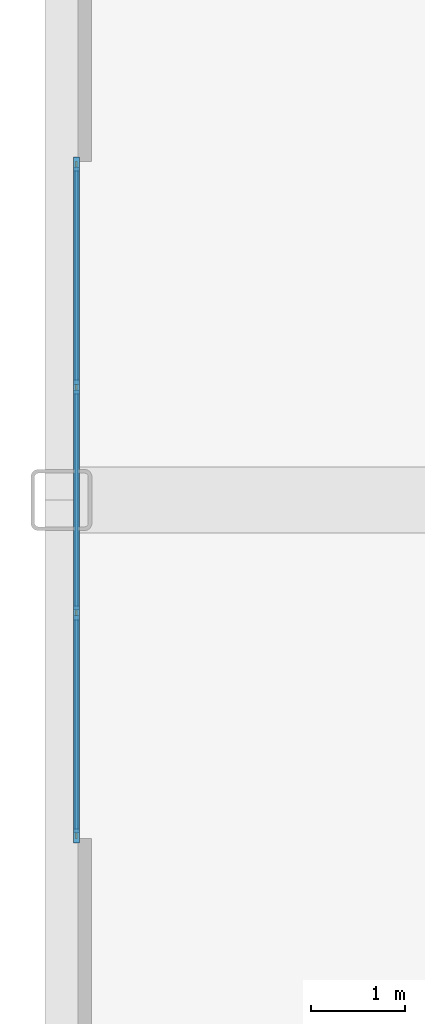
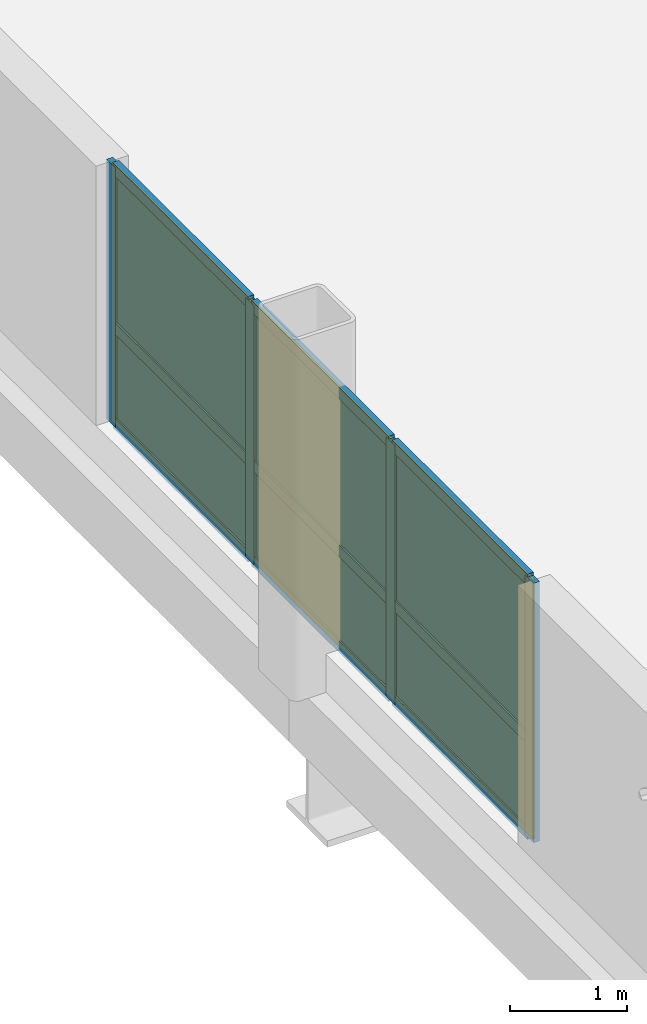
# One storey, part 11 of 16: 13 members, 6 plates, 1 curtain wall.
"""IFC4 building model written with IfcOpenShell, lengths in metres."""

from ifc_helpers import new_model, si_unit, direction, frame, frame_2d, origin, origin_2d, place, context, subcontext, project, spatial, rectangle, extrude, source, transform, mapped, material, layer, layer_set, material_profile, profile_set, type_object, type_shapes, element, aggregate, save


model = new_model("IFC4")

# Units and contexts
model_context = context("Model", 3, precision=1e-05, world=origin(), true_north=direction((0.0, 1.0)))
body_context = subcontext(model_context, "Body", "Model", "MODEL_VIEW")
ifc_project = project(units=[si_unit("LENGTHUNIT", "METRE"), si_unit("AREAUNIT", "SQUARE_METRE"), si_unit("VOLUMEUNIT", "CUBIC_METRE"), si_unit("PLANEANGLEUNIT", "RADIAN"), si_unit("MASSUNIT", "GRAM", prefix="KILO")], contexts=[model_context])

# Member
ifc_material_1 = material(Name="Anodised aluminium 6063-T6", Category="aluminium")
ifc_material_profile_1 = material_profile(ifc_material_1, rectangle(XDim=0.06005859375, YDim=0.14990234375, at=origin_2d()), Name="ALU-MULL-60x150")
ifc_profile_set_1 = profile_set([ifc_material_profile_1], Name="Anodised aluminium 6063-T6")
member_type_1 = type_object("IfcMemberType", Name="CWM-3", PredefinedType="MULLION", material=ifc_profile_set_1)
site_placement = place(None, origin())
building_placement = place(site_placement, origin())
storey_placement = place(building_placement, frame((0.0, 0.0, 116.550048828125)))
member_1_placement = place(storey_placement, frame((-26.239990234375, -3.570068359375, 0.0), z_axis=(0.0, 0.0, 1.0), x_axis=(-1.0, 0.0, 0.0)))
member_1 = element("IfcMember", 1, at=member_1_placement, type_object=member_type_1, Name="CWS-3 mullion 1", PredefinedType="MULLION", context=body_context, shape_type="SweptSolid", body=[
    extrude(rectangle(XDim=0.06005859375, YDim=0.14990234375, at=origin_2d()), origin(), (0.0, 0.0, 1.0), 2.704833984375),
])

member_2_placement = place(storey_placement, frame((-26.239990234375, -1.199951171875, 0.0), z_axis=(0.0, 0.0, 1.0), x_axis=(-1.0, 0.0, 0.0)))
member_2 = element("IfcMember", 2, at=member_2_placement, type_object=member_type_1, Name="CWS-3 mullion 2", PredefinedType="MULLION", context=body_context, shape_type="SweptSolid", body=[
    extrude(rectangle(XDim=0.06005859375, YDim=0.14990234375, at=origin_2d()), origin(), (0.0, 0.0, 1.0), 2.704833984375),
])

member_3_placement = place(storey_placement, frame((-26.239990234375, 1.199951171875, 0.0), z_axis=(0.0, 0.0, 1.0), x_axis=(-1.0, 0.0, 0.0)))
member_3 = element("IfcMember", 3, at=member_3_placement, type_object=member_type_1, Name="CWS-3 mullion 3", PredefinedType="MULLION", context=body_context, shape_type="SweptSolid", body=[
    extrude(rectangle(XDim=0.06005859375, YDim=0.14990234375, at=origin_2d()), origin(), (0.0, 0.0, 1.0), 2.704833984375),
])

member_4_placement = place(storey_placement, frame((-26.239990234375, 3.570068359375, 0.0), z_axis=(0.0, 0.0, 1.0), x_axis=(-1.0, 0.0, 0.0)))
member_4 = element("IfcMember", 4, at=member_4_placement, type_object=member_type_1, Name="CWS-3 mullion 4", PredefinedType="MULLION", context=body_context, shape_type="SweptSolid", body=[
    extrude(rectangle(XDim=0.06005859375, YDim=0.14990234375, at=origin_2d()), origin(), (0.0, 0.0, 1.0), 2.704833984375),
])

ifc_material_profile_2 = material_profile(ifc_material_1, rectangle(XDim=0.06005859375, YDim=0.1201171875, at=origin_2d()), Name="ALU-TRAN-60x120")
ifc_profile_set_2 = profile_set([ifc_material_profile_2], Name="Anodised aluminium 6063-T6")
member_type_2 = type_object("IfcMemberType", Name="CWT-3", PredefinedType="USERDEFINED", material=ifc_profile_set_2)
member_5_placement = place(storey_placement, frame((-26.239990234375, -3.5400390625, 0.030029296875), z_axis=(0.0, 1.0, 0.0), x_axis=(-1.0, 0.0, 0.0)))
member_5 = element("IfcMember", 5, at=member_5_placement, type_object=member_type_2, Name="CWS-3 transom 1.1", ObjectType="TRANSOM", PredefinedType="USERDEFINED", context=body_context, shape_type="SweptSolid", body=[
    extrude(rectangle(XDim=0.06005859375, YDim=0.1201171875, at=origin_2d()), origin(), (0.0, 0.0, 1.0), 2.31005859375),
])

member_6_placement = place(storey_placement, frame((-26.239990234375, -3.5400390625, 1.02783203125), z_axis=(0.0, 1.0, 0.0), x_axis=(-1.0, 0.0, 0.0)))
member_6 = element("IfcMember", 6, at=member_6_placement, type_object=member_type_2, Name="CWS-3 transom 1.2", ObjectType="TRANSOM", PredefinedType="USERDEFINED", context=body_context, shape_type="SweptSolid", body=[
    extrude(rectangle(XDim=0.06005859375, YDim=0.1201171875, at=origin_2d()), origin(), (0.0, 0.0, 1.0), 2.31005859375),
])

member_7_placement = place(storey_placement, frame((-26.239990234375, -3.5400390625, 2.675048828125), z_axis=(0.0, 1.0, 0.0), x_axis=(-1.0, 0.0, 0.0)))
member_7 = element("IfcMember", 7, at=member_7_placement, type_object=member_type_2, Name="CWS-3 transom 1.3", ObjectType="TRANSOM", PredefinedType="USERDEFINED", context=body_context, shape_type="SweptSolid", body=[
    extrude(rectangle(XDim=0.06005859375, YDim=0.1201171875, at=origin_2d()), origin(), (0.0, 0.0, 1.0), 2.31005859375),
])

member_8_placement = place(storey_placement, frame((-26.239990234375, -1.169921875, 0.030029296875), z_axis=(0.0, 1.0, 0.0), x_axis=(-1.0, 0.0, 0.0)))
member_8 = element("IfcMember", 8, at=member_8_placement, type_object=member_type_2, Name="CWS-3 transom 2.1", ObjectType="TRANSOM", PredefinedType="USERDEFINED", context=body_context, shape_type="SweptSolid", body=[
    extrude(rectangle(XDim=0.06005859375, YDim=0.1201171875, at=origin_2d()), origin(), (0.0, 0.0, 1.0), 2.33984375),
])

member_9_placement = place(storey_placement, frame((-26.239990234375, -1.169921875, 1.02783203125), z_axis=(0.0, 1.0, 0.0), x_axis=(-1.0, 0.0, 0.0)))
member_9 = element("IfcMember", 9, at=member_9_placement, type_object=member_type_2, Name="CWS-3 transom 2.2", ObjectType="TRANSOM", PredefinedType="USERDEFINED", context=body_context, shape_type="SweptSolid", body=[
    extrude(rectangle(XDim=0.06005859375, YDim=0.1201171875, at=origin_2d()), origin(), (0.0, 0.0, 1.0), 2.33984375),
])

member_10_placement = place(storey_placement, frame((-26.239990234375, -1.169921875, 2.675048828125), z_axis=(0.0, 1.0, 0.0), x_axis=(-1.0, 0.0, 0.0)))
member_10 = element("IfcMember", 10, at=member_10_placement, type_object=member_type_2, Name="CWS-3 transom 2.3", ObjectType="TRANSOM", PredefinedType="USERDEFINED", context=body_context, shape_type="SweptSolid", body=[
    extrude(rectangle(XDim=0.06005859375, YDim=0.1201171875, at=origin_2d()), origin(), (0.0, 0.0, 1.0), 2.33984375),
])

member_11_placement = place(storey_placement, frame((-26.239990234375, 1.22998046875, 0.030029296875), z_axis=(0.0, 1.0, 0.0), x_axis=(-1.0, 0.0, 0.0)))
member_11 = element("IfcMember", 11, at=member_11_placement, type_object=member_type_2, Name="CWS-3 transom 3.1", ObjectType="TRANSOM", PredefinedType="USERDEFINED", context=body_context, shape_type="SweptSolid", body=[
    extrude(rectangle(XDim=0.06005859375, YDim=0.1201171875, at=origin_2d()), origin(), (0.0, 0.0, 1.0), 2.31005859375),
])

member_12_placement = place(storey_placement, frame((-26.239990234375, 1.22998046875, 1.02783203125), z_axis=(0.0, 1.0, 0.0), x_axis=(-1.0, 0.0, 0.0)))
member_12 = element("IfcMember", 12, at=member_12_placement, type_object=member_type_2, Name="CWS-3 transom 3.2", ObjectType="TRANSOM", PredefinedType="USERDEFINED", context=body_context, shape_type="SweptSolid", body=[
    extrude(rectangle(XDim=0.06005859375, YDim=0.1201171875, at=origin_2d()), origin(), (0.0, 0.0, 1.0), 2.31005859375),
])

member_13_placement = place(storey_placement, frame((-26.239990234375, 1.22998046875, 2.675048828125), z_axis=(0.0, 1.0, 0.0), x_axis=(-1.0, 0.0, 0.0)))
member_13 = element("IfcMember", 13, at=member_13_placement, type_object=member_type_2, Name="CWS-3 transom 3.3", ObjectType="TRANSOM", PredefinedType="USERDEFINED", context=body_context, shape_type="SweptSolid", body=[
    extrude(rectangle(XDim=0.06005859375, YDim=0.1201171875, at=origin_2d()), origin(), (0.0, 0.0, 1.0), 2.31005859375),
])

# Plate
ifc_material_2 = material(Name="Insulated solar-control glass", Category="glass")
ifc_layer_1 = layer(ifc_material_2, 0.028076171875, Name="CWP-3")
ifc_layer_set_1 = layer_set([ifc_layer_1], Name="Insulated solar-control glass")
plate_type = type_object("IfcPlateType", Name="CWP-3", PredefinedType="CURTAIN_PANEL", material=ifc_layer_set_1)
shared_shape_1 = source(origin(), body_context, "Body", "SweptSolid", [
    extrude(rectangle(XDim=2.31005859375, YDim=0.028076171875, at=origin_2d()), origin(), (0.0, 0.0, 1.0), 0.93798828125),
])
plate_1_placement = place(storey_placement, frame((-26.239990234375, -2.385009765625, 0.059814453125), z_axis=(0.0, 0.0, 1.0), x_axis=(0.0, 1.0, 0.0)))
plate_1 = element("IfcPlate", 14, at=plate_1_placement, type_object=plate_type, Name="CWS-3 panel 1.1", PredefinedType="CURTAIN_PANEL", context=body_context, shape_type="MappedRepresentation", body=[
    mapped(shared_shape_1, transform((0.0, 0.0, 0.0), scale=1.0)),
])

plate_2_placement = place(storey_placement, frame((-26.239990234375, 2.385009765625, 0.059814453125), z_axis=(0.0, 0.0, 1.0), x_axis=(0.0, 1.0, 0.0)))
plate_2 = element("IfcPlate", 15, at=plate_2_placement, type_object=plate_type, Name="CWS-3 panel 3.1", PredefinedType="CURTAIN_PANEL", context=body_context, shape_type="MappedRepresentation", body=[
    mapped(shared_shape_1, transform((0.0, 0.0, 0.0), scale=1.0)),
])

shared_shape_2 = source(origin(), body_context, "Body", "SweptSolid", [
    extrude(rectangle(XDim=2.31005859375, YDim=0.028076171875, at=origin_2d()), origin(), (0.0, 0.0, 1.0), 1.587158203125),
])
plate_3_placement = place(storey_placement, frame((-26.239990234375, -2.385009765625, 1.0576171875), z_axis=(0.0, 0.0, 1.0), x_axis=(0.0, 1.0, 0.0)))
plate_3 = element("IfcPlate", 16, at=plate_3_placement, type_object=plate_type, Name="CWS-3 panel 1.2", PredefinedType="CURTAIN_PANEL", context=body_context, shape_type="MappedRepresentation", body=[
    mapped(shared_shape_2, transform((0.0, 0.0, 0.0), scale=1.0)),
])

plate_4_placement = place(storey_placement, frame((-26.239990234375, 2.385009765625, 1.0576171875), z_axis=(0.0, 0.0, 1.0), x_axis=(0.0, 1.0, 0.0)))
plate_4 = element("IfcPlate", 17, at=plate_4_placement, type_object=plate_type, Name="CWS-3 panel 3.2", PredefinedType="CURTAIN_PANEL", context=body_context, shape_type="MappedRepresentation", body=[
    mapped(shared_shape_2, transform((0.0, 0.0, 0.0), scale=1.0)),
])

shared_shape_3 = source(origin(), body_context, "Body", "SweptSolid", [
    extrude(rectangle(XDim=2.340087890625, YDim=0.028076171875, at=origin_2d()), origin(), (0.0, 0.0, 1.0), 0.93798828125),
])
plate_5_placement = place(storey_placement, frame((-26.239990234375, 0.0, 0.059814453125), z_axis=(0.0, 0.0, 1.0), x_axis=(0.0, 1.0, 0.0)))
plate_5 = element("IfcPlate", 18, at=plate_5_placement, type_object=plate_type, Name="CWS-3 panel 2.1", PredefinedType="CURTAIN_PANEL", context=body_context, shape_type="MappedRepresentation", body=[
    mapped(shared_shape_3, transform((0.0, 0.0, 0.0), scale=1.0)),
])

shared_shape_4 = source(origin(), body_context, "Body", "SweptSolid", [
    extrude(rectangle(XDim=2.340087890625, YDim=0.028076171875, at=origin_2d()), origin(), (0.0, 0.0, 1.0), 1.587158203125),
])
type_shapes(plate_type, [shared_shape_1, shared_shape_2, shared_shape_3, shared_shape_4])
plate_6_placement = place(storey_placement, frame((-26.239990234375, 0.0, 1.0576171875), z_axis=(0.0, 0.0, 1.0), x_axis=(0.0, 1.0, 0.0)))
plate_6 = element("IfcPlate", 19, at=plate_6_placement, type_object=plate_type, Name="CWS-3 panel 2.2", PredefinedType="CURTAIN_PANEL", context=body_context, shape_type="MappedRepresentation", body=[
    mapped(shared_shape_4, transform((0.0, 0.0, 0.0), scale=1.0)),
])

# Site, building, storey
site = spatial("IfcSite", under=ifc_project, at=site_placement, CompositionType="ELEMENT")
building = spatial("IfcBuilding", under=site, at=building_placement, Name="Nuvemarco Arch Tower", CompositionType="ELEMENT")
storey = spatial("IfcBuildingStorey", under=building, at=storey_placement, Name="L30", CompositionType="ELEMENT", Elevation=116.550048828125)

# Curtain wall
ifc_layer_2 = layer(ifc_material_2, 0.14990234375, Name="CW-SYS-3")
ifc_layer_set_2 = layer_set([ifc_layer_2], Name="Insulated solar-control glass")
curtain_wall_type = type_object("IfcCurtainWallType", Name="CW-SYS-3", PredefinedType="NOTDEFINED", material=ifc_layer_set_2)
curtain_wall_placement = place(storey_placement, frame((-26.239990234375, -3.60009765625, 0.0), z_axis=(0.0, 0.0, 1.0), x_axis=(0.0, 1.0, 0.0)))
curtain_wall = element("IfcCurtainWall", 20, at=curtain_wall_placement, inside=storey, type_object=curtain_wall_type, Name="L30 curtain wall CWS-3", PredefinedType="NOTDEFINED", context=body_context, shape_type="SweptSolid", body=[
    extrude(rectangle(XDim=7.2001953125, YDim=0.02001953125, at=frame_2d((3.60009765625, 0.0))), origin(), (0.0, 0.0, 1.0), 2.704833984375),
])

aggregate(curtain_wall, [member_1, member_2, member_3, member_4, member_5, member_6, member_7, plate_1, plate_3, member_8, member_9, member_10, plate_5, plate_6, member_11, member_12, member_13, plate_2, plate_4])

save(model, "model.ifc")
